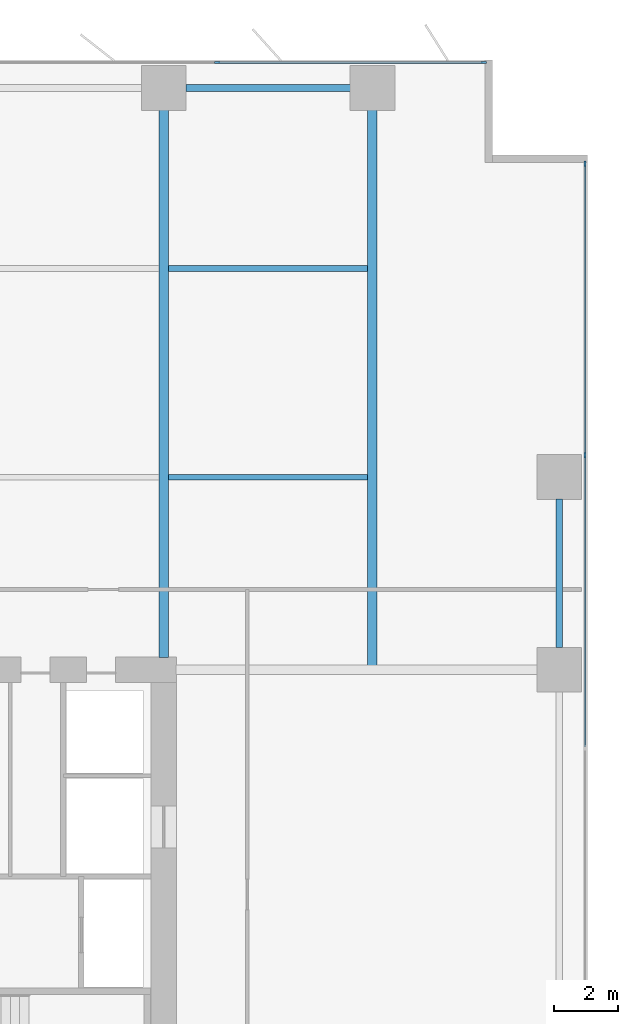
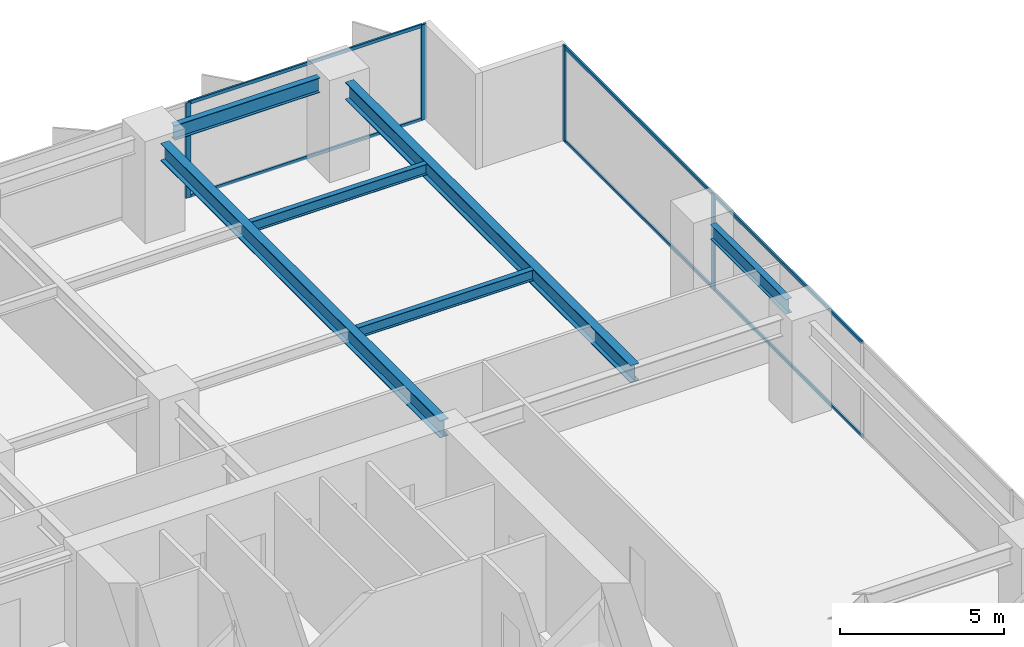
# One storey, part 11 of 20: 10 members, 6 beams, 2 elements without a shape of their own.
"""IFC4 building model written with IfcOpenShell, lengths in metres."""

from ifc_helpers import new_model, si_unit, direction, frame, origin, origin_2d, place, context, subcontext, project, spatial, rectangle, i_section, extrude, material, layer, layer_set, material_profile, profile_set, type_object, element, aggregate, save


model = new_model("IFC4")

# Units and contexts
model_context = context("Model", 3, precision=1e-05, world=origin(), true_north=direction((0.0, 1.0)))
body_context = subcontext(model_context, "Body", "Model", "MODEL_VIEW")
ifc_project = project(units=[si_unit("LENGTHUNIT", "METRE"), si_unit("AREAUNIT", "SQUARE_METRE"), si_unit("VOLUMEUNIT", "CUBIC_METRE"), si_unit("PLANEANGLEUNIT", "RADIAN"), si_unit("MASSUNIT", "GRAM", prefix="KILO")], contexts=[model_context])

# Site, building, storey
site_placement = place(None, origin())
site = spatial("IfcSite", under=ifc_project, at=site_placement, CompositionType="ELEMENT")
building_placement = place(site_placement, origin())
building = spatial("IfcBuilding", under=site, at=building_placement, Name="Putna Gate Headquarters", CompositionType="ELEMENT")
storey_placement = place(building_placement, frame((0.0, 0.0, 46.800048828125)))
storey = spatial("IfcBuildingStorey", under=building, at=storey_placement, Name="L10", CompositionType="ELEMENT", Elevation=46.800048828125)

# Beams
ifc_material_1 = material(Name="Steel S355J2", Category="steel")
ifc_material_profile_1 = material_profile(ifc_material_1, i_section(OverallWidth=0.300048828125, OverallDepth=0.64990234375, WebThickness=0.01611328125, FlangeThickness=0.031005859375, at=origin_2d()), Name="Steel S355J2")
ifc_profile_set_1 = profile_set([ifc_material_profile_1], Name="Steel S355J2")
beam_type_1 = type_object("IfcBeamType", Name="BM-GIRD-Z1-HEB650", PredefinedType="USERDEFINED", material=ifc_profile_set_1)
beam_1_placement = place(storey_placement, frame((65.0, 33.385009765625, 3.224853515625), z_axis=(0.0, 1.0, 0.0), x_axis=(-1.0, 0.0, 0.0)))
element("IfcBeam", 1, at=beam_1_placement, inside=storey, type_object=beam_type_1, Name="L10 North Primary Girder X65", ObjectType="GIRDER", PredefinedType="USERDEFINED", context=body_context, shape_type="SweptSolid", body=[
    extrude(i_section(OverallWidth=0.300048828125, OverallDepth=0.64990234375, WebThickness=0.01611328125, FlangeThickness=0.031005859375, at=origin_2d()), origin(), (0.0, 0.0, 1.0), 17.046875),
])
beam_2_placement = place(storey_placement, frame((71.5, 33.011962890625, 3.224853515625), z_axis=(0.0, 1.0, 0.0), x_axis=(-1.0, 0.0, 0.0)))
element("IfcBeam", 2, at=beam_2_placement, inside=storey, type_object=beam_type_1, Name="L10 North Primary Girder X71", ObjectType="GIRDER", PredefinedType="USERDEFINED", context=body_context, shape_type="SweptSolid", body=[
    extrude(i_section(OverallWidth=0.300048828125, OverallDepth=0.64990234375, WebThickness=0.01611328125, FlangeThickness=0.031005859375, at=origin_2d()), origin(), (0.0, 0.0, 1.0), 17.419921875),
])
ifc_material_profile_2 = material_profile(ifc_material_1, i_section(OverallWidth=0.179931640625, OverallDepth=0.39990234375, WebThickness=0.008544921875, FlangeThickness=0.013427734375, at=origin_2d()), Name="Steel S355J2")
ifc_profile_set_2 = profile_set([ifc_material_profile_2], Name="Steel S355J2")
beam_type_2 = type_object("IfcBeamType", Name="BM-SEC-Z1-IPE400", PredefinedType="BEAM", material=ifc_profile_set_2)
for number, where, z_axis, x_axis, name in (
    (3, (65.154052734375, 39.0, 3.349853515625), (1.0, 0.0, 0.0), (0.0, 1.0, 0.0), "L10 North Secondary Beam 10"),
    (4, (65.154052734375, 45.5, 3.349853515625), (1.0, 0.0, 0.0), (0.0, 1.0, 0.0), "L10 North Secondary Beam 10"),
):
    element("IfcBeam", number, at=place(storey_placement, frame(where, z_axis=z_axis, x_axis=x_axis)), inside=storey, type_object=beam_type_2, Name=name, PredefinedType="BEAM", context=body_context, shape_type="SweptSolid", body=[
        extrude(i_section(OverallWidth=0.179931640625, OverallDepth=0.39990234375, WebThickness=0.008544921875, FlangeThickness=0.013427734375, at=origin_2d()), origin(), (0.0, 0.0, 1.0), 6.19189453125),
    ])
ifc_material_profile_3 = material_profile(ifc_material_1, i_section(OverallWidth=0.2099609375, OverallDepth=0.550048828125, WebThickness=0.010986328125, FlangeThickness=0.01708984375, at=origin_2d()), Name="Steel S355J2")
ifc_profile_set_3 = profile_set([ifc_material_profile_3], Name="Steel S355J2")
beam_type_3 = type_object("IfcBeamType", Name="BM-SPAN-Z1-IPE550", PredefinedType="SPANDREL", material=ifc_profile_set_3)
beam_3_placement = place(storey_placement, frame((65.68798828125, 51.1201171875, 3.27490234375), z_axis=(1.0, 0.0, 0.0), x_axis=(0.0, 1.0, 0.0)))
element("IfcBeam", 5, at=beam_3_placement, inside=storey, type_object=beam_type_3, Name="L10 N Perimeter Spandrel 10", PredefinedType="SPANDREL", context=body_context, shape_type="SweptSolid", body=[
    extrude(i_section(OverallWidth=0.2099609375, OverallDepth=0.550048828125, WebThickness=0.010986328125, FlangeThickness=0.01708984375, at=origin_2d()), origin(), (0.0, 0.0, 1.0), 5.1240234375),
])
beam_4_placement = place(storey_placement, frame((77.320068359375, 33.68798828125, 3.27490234375), z_axis=(0.0, 1.0, 0.0), x_axis=(-1.0, 0.0, 0.0)))
element("IfcBeam", 6, at=beam_4_placement, inside=storey, type_object=beam_type_3, Name="L10 E End Spandrel 3", PredefinedType="SPANDREL", context=body_context, shape_type="SweptSolid", body=[
    extrude(i_section(OverallWidth=0.2099609375, OverallDepth=0.550048828125, WebThickness=0.010986328125, FlangeThickness=0.01708984375, at=origin_2d()), origin(), (0.0, 0.0, 1.0), 4.6240234375),
])

# Curtain wall, members
ifc_material_2 = material(Name="Anodised bronze aluminium curtain wall", Category="aluminium")
ifc_layer = layer(ifc_material_2, 0.179931640625)
ifc_layer_set = layer_set([ifc_layer], Name="Anodised bronze aluminium curtain wall")
curtain_wall_type = type_object("IfcCurtainWallType", Name="CW-SYS-Z1", PredefinedType="USERDEFINED", material=ifc_layer_set)
curtain_wall_1_placement = place(storey_placement, origin())
curtain_wall_1 = element("IfcCurtainWall", 7, at=curtain_wall_1_placement, inside=storey, type_object=curtain_wall_type, Name="L10 North East Curtain Wall", ObjectType="STICK CURTAIN WALL", PredefinedType="USERDEFINED")
ifc_material_3 = material(Name="Anodised bronze aluminium EN AW-6060", Category="aluminium")
ifc_material_profile_4 = material_profile(ifc_material_3, rectangle(XDim=0.070068359375, YDim=0.179931640625, at=origin_2d()), Name="Anodised bronze aluminium EN AW-6060")
ifc_profile_set_4 = profile_set([ifc_material_profile_4], Name="Anodised bronze aluminium EN AW-6060")
member_type_1 = type_object("IfcMemberType", Name="MULL-CWM-1", PredefinedType="MULLION", material=ifc_profile_set_4)
member_1_placement = place(storey_placement, frame((66.666748046875, 51.919921875, 0.0), z_axis=(0.0, 0.0, 1.0), x_axis=(0.0, 1.0, 0.0)))
member_1 = element("IfcMember", 8, at=member_1_placement, type_object=member_type_1, Name="CWS-1 mullion 3", PredefinedType="MULLION", context=body_context, shape_type="SweptSolid", body=[
    extrude(rectangle(XDim=0.070068359375, YDim=0.179931640625, at=origin_2d()), origin(), (0.0, 0.0, 1.0), 3.550048828125),
])
member_2_placement = place(storey_placement, frame((74.965087890625, 51.919921875, 0.0), z_axis=(0.0, 0.0, 1.0), x_axis=(0.0, 1.0, 0.0)))
member_2 = element("IfcMember", 9, at=member_2_placement, type_object=member_type_1, Name="CWS-1 mullion 4", PredefinedType="MULLION", context=body_context, shape_type="SweptSolid", body=[
    extrude(rectangle(XDim=0.070068359375, YDim=0.179931640625, at=origin_2d()), origin(), (0.0, 0.0, 1.0), 3.550048828125),
])

curtain_wall_2_placement = place(storey_placement, origin())
curtain_wall_2 = element("IfcCurtainWall", 10, at=curtain_wall_2_placement, inside=storey, type_object=curtain_wall_type, Name="L10 East Curtain Wall", ObjectType="STICK CURTAIN WALL", PredefinedType="USERDEFINED")
member_3_placement = place(storey_placement, frame((78.1201171875, 39.679931640625, 0.0), z_axis=(0.0, 0.0, 1.0), x_axis=(-1.0, 0.0, 0.0)))
member_3 = element("IfcMember", 11, at=member_3_placement, type_object=member_type_1, Name="CWS-1 mullion 5", PredefinedType="MULLION", context=body_context, shape_type="SweptSolid", body=[
    extrude(rectangle(XDim=0.070068359375, YDim=0.179931640625, at=origin_2d()), origin(), (0.0, 0.0, 1.0), 3.550048828125),
])
member_4_placement = place(storey_placement, frame((78.1201171875, 48.764892578125, 0.0), z_axis=(0.0, 0.0, 1.0), x_axis=(-1.0, 0.0, 0.0)))
member_4 = element("IfcMember", 12, at=member_4_placement, type_object=member_type_1, Name="CWS-1 mullion 6", PredefinedType="MULLION", context=body_context, shape_type="SweptSolid", body=[
    extrude(rectangle(XDim=0.070068359375, YDim=0.179931640625, at=origin_2d()), origin(), (0.0, 0.0, 1.0), 3.550048828125),
])

# Member
ifc_material_profile_5 = material_profile(ifc_material_3, rectangle(XDim=0.06494140625, YDim=0.1201171875, at=origin_2d()), Name="Anodised bronze aluminium EN AW-6060")
ifc_profile_set_5 = profile_set([ifc_material_profile_5], Name="Anodised bronze aluminium EN AW-6060")
member_type_2 = type_object("IfcMemberType", Name="TRAN-CWT-1", PredefinedType="USERDEFINED", material=ifc_profile_set_5)
member_5_placement = place(storey_placement, frame((66.70166015625, 51.919921875, 0.032470703125), z_axis=(1.0, 0.0, 0.0), x_axis=(0.0, 1.0, 0.0)))
member_5 = element("IfcMember", 13, at=member_5_placement, type_object=member_type_2, Name="CWS-1 transom 3.1", ObjectType="TRANSOM", PredefinedType="USERDEFINED", context=body_context, shape_type="SweptSolid", body=[
    extrude(rectangle(XDim=0.06494140625, YDim=0.1201171875, at=origin_2d()), origin(), (0.0, 0.0, 1.0), 8.228271484375),
])

member_6_placement = place(storey_placement, frame((66.70166015625, 51.919921875, 3.517333984375), z_axis=(1.0, 0.0, 0.0), x_axis=(0.0, 1.0, 0.0)))
member_6 = element("IfcMember", 14, at=member_6_placement, type_object=member_type_2, Name="CWS-1 transom 3.2", ObjectType="TRANSOM", PredefinedType="USERDEFINED", context=body_context, shape_type="SweptSolid", body=[
    extrude(rectangle(XDim=0.06494140625, YDim=0.1201171875, at=origin_2d()), origin(), (0.0, 0.0, 1.0), 8.228271484375),
])

aggregate(curtain_wall_1, [member_1, member_2, member_5, member_6])

member_7_placement = place(storey_placement, frame((78.1201171875, 30.594970703125, 0.032470703125), z_axis=(0.0, 1.0, 0.0), x_axis=(-1.0, 0.0, 0.0)))
member_7 = element("IfcMember", 15, at=member_7_placement, type_object=member_type_2, Name="CWS-1 transom 4.1", ObjectType="TRANSOM", PredefinedType="USERDEFINED", context=body_context, shape_type="SweptSolid", body=[
    extrude(rectangle(XDim=0.06494140625, YDim=0.1201171875, at=origin_2d()), origin(), (0.0, 0.0, 1.0), 9.050048828125),
])

member_8_placement = place(storey_placement, frame((78.1201171875, 30.594970703125, 3.517333984375), z_axis=(0.0, 1.0, 0.0), x_axis=(-1.0, 0.0, 0.0)))
member_8 = element("IfcMember", 16, at=member_8_placement, type_object=member_type_2, Name="CWS-1 transom 4.2", ObjectType="TRANSOM", PredefinedType="USERDEFINED", context=body_context, shape_type="SweptSolid", body=[
    extrude(rectangle(XDim=0.06494140625, YDim=0.1201171875, at=origin_2d()), origin(), (0.0, 0.0, 1.0), 9.050048828125),
])

member_9_placement = place(storey_placement, frame((78.1201171875, 39.715087890625, 0.032470703125), z_axis=(0.0, 1.0, 0.0), x_axis=(-1.0, 0.0, 0.0)))
member_9 = element("IfcMember", 17, at=member_9_placement, type_object=member_type_2, Name="CWS-1 transom 5.1", ObjectType="TRANSOM", PredefinedType="USERDEFINED", context=body_context, shape_type="SweptSolid", body=[
    extrude(rectangle(XDim=0.06494140625, YDim=0.1201171875, at=origin_2d()), origin(), (0.0, 0.0, 1.0), 9.014892578125),
])

member_10_placement = place(storey_placement, frame((78.1201171875, 39.715087890625, 3.517333984375), z_axis=(0.0, 1.0, 0.0), x_axis=(-1.0, 0.0, 0.0)))
member_10 = element("IfcMember", 18, at=member_10_placement, type_object=member_type_2, Name="CWS-1 transom 5.2", ObjectType="TRANSOM", PredefinedType="USERDEFINED", context=body_context, shape_type="SweptSolid", body=[
    extrude(rectangle(XDim=0.06494140625, YDim=0.1201171875, at=origin_2d()), origin(), (0.0, 0.0, 1.0), 9.014892578125),
])

aggregate(curtain_wall_2, [member_3, member_4, member_7, member_8, member_9, member_10])

save(model, "model.ifc")
